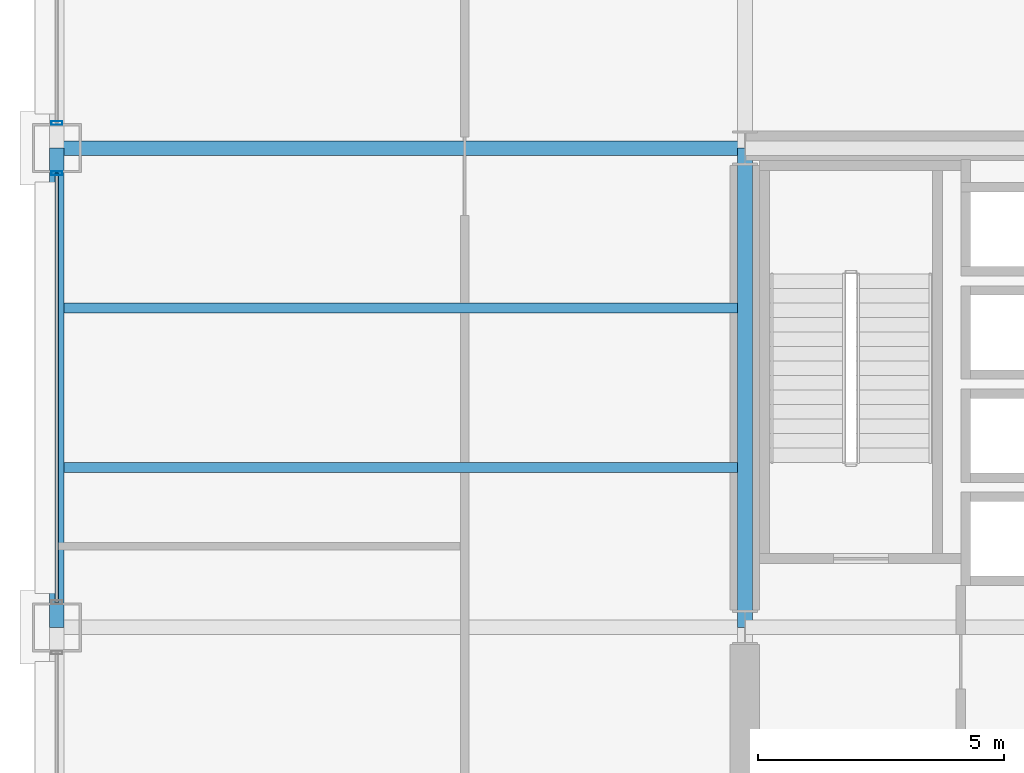
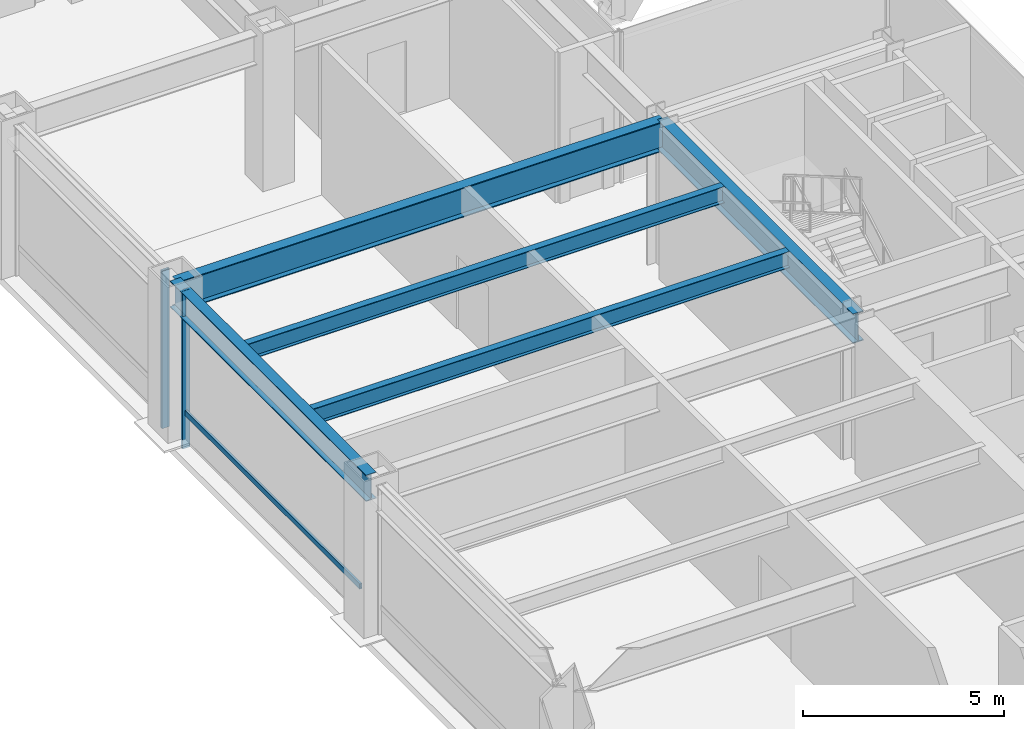
# One storey, part 14 of 40: 5 beams, 3 members, 2 elements without a shape of their own.
"""IFC4 building model written with IfcOpenShell, lengths in metres."""

from ifc_helpers import new_model, si_unit, direction, frame, origin, origin_2d, place, context, subcontext, project, spatial, hollow_rectangle, i_section, extrude, material, layer, layer_set, material_profile, profile_set, type_object, element, aggregate, save


model = new_model("IFC4")

# Units and contexts
model_context = context("Model", 3, precision=1e-05, world=origin(), true_north=direction((0.0, 1.0)))
body_context = subcontext(model_context, "Body", "Model", "MODEL_VIEW")
ifc_project = project(units=[si_unit("LENGTHUNIT", "METRE"), si_unit("AREAUNIT", "SQUARE_METRE"), si_unit("VOLUMEUNIT", "CUBIC_METRE"), si_unit("PLANEANGLEUNIT", "RADIAN"), si_unit("MASSUNIT", "GRAM", prefix="KILO")], contexts=[model_context])

# Site, building, storey
site_placement = place(None, origin())
site = spatial("IfcSite", under=ifc_project, at=site_placement, CompositionType="ELEMENT")
building_placement = place(site_placement, origin())
building = spatial("IfcBuilding", under=site, at=building_placement, Name="Brelmoor Portico Tower", CompositionType="ELEMENT")
storey_placement = place(building_placement, frame((0.0, 0.0, 4.800048828125)))
storey = spatial("IfcBuildingStorey", under=building, at=storey_placement, Name="L01", CompositionType="ELEMENT", Elevation=4.800048828125)

# Beams
ifc_material_1 = material(Name="Steel Q355B", Category="steel")
ifc_material_profile_1 = material_profile(ifc_material_1, i_section(OverallWidth=0.199951171875, OverallDepth=0.5, WebThickness=0.010009765625, FlangeThickness=0.01611328125, at=origin_2d()), Name="HN 500x200x10x16")
ifc_profile_set_1 = profile_set([ifc_material_profile_1], Name="Steel Q355B")
beam_type_1 = type_object("IfcBeamType", Name="BM-JS-500", PredefinedType="JOIST", material=ifc_profile_set_1)
for number, where, z_axis, x_axis, name in (
    (1, (-28.39990234375, 3.25, 4.329833984375), (1.0, 0.0, 0.0), (0.0, 1.0, 0.0), "L01 Secondary Wing Joist JS-W03"),
    (2, (-28.39990234375, 6.5, 4.329833984375), (1.0, 0.0, 0.0), (0.0, 1.0, 0.0), "L01 Secondary Wing Joist JS-W04"),
):
    element("IfcBeam", number, at=place(storey_placement, frame(where, z_axis=z_axis, x_axis=x_axis)), inside=storey, type_object=beam_type_1, Name=name, PredefinedType="JOIST", context=body_context, shape_type="SweptSolid", body=[
        extrude(i_section(OverallWidth=0.199951171875, OverallDepth=0.5, WebThickness=0.010009765625, FlangeThickness=0.01611328125, at=origin_2d()), origin(), (0.0, 0.0, 1.0), 13.699951171875),
    ])
ifc_material_profile_2 = material_profile(ifc_material_1, i_section(OverallWidth=0.300048828125, OverallDepth=0.89990234375, WebThickness=0.01611328125, FlangeThickness=0.028076171875, at=origin_2d()), Name="HN 900x300x16x28")
ifc_profile_set_2 = profile_set([ifc_material_profile_2], Name="Steel Q355B")
beam_type_2 = type_object("IfcBeamType", Name="BM-PG-900", PredefinedType="BEAM", material=ifc_profile_set_2)
beam_1_placement = place(storey_placement, frame((-14.550048828125, 0.0, 4.1298828125), z_axis=(0.0, 1.0, 0.0), x_axis=(-1.0, 0.0, 0.0)))
element("IfcBeam", 3, at=beam_1_placement, inside=storey, type_object=beam_type_2, Name="L01 Primary Floor Girder PG-07", PredefinedType="BEAM", context=body_context, shape_type="SweptSolid", body=[
    extrude(i_section(OverallWidth=0.300048828125, OverallDepth=0.89990234375, WebThickness=0.01611328125, FlangeThickness=0.028076171875, at=origin_2d()), origin(), (0.0, 0.0, 1.0), 9.75),
])
beam_2_placement = place(storey_placement, frame((-28.550048828125, 9.75, 4.1298828125), z_axis=(1.0, 0.0, 0.0), x_axis=(0.0, 1.0, 0.0)))
element("IfcBeam", 4, at=beam_2_placement, inside=storey, type_object=beam_type_2, Name="L01 Primary Floor Girder PG-33", PredefinedType="BEAM", context=body_context, shape_type="SweptSolid", body=[
    extrude(i_section(OverallWidth=0.300048828125, OverallDepth=0.89990234375, WebThickness=0.01611328125, FlangeThickness=0.028076171875, at=origin_2d()), origin(), (0.0, 0.0, 1.0), 14.0),
])
ifc_material_profile_3 = material_profile(ifc_material_1, i_section(OverallWidth=0.300048828125, OverallDepth=0.800048828125, WebThickness=0.013916015625, FlangeThickness=0.02587890625, at=origin_2d()), Name="HN 800x300x14x26")
ifc_profile_set_3 = profile_set([ifc_material_profile_3], Name="Steel Q355B")
beam_type_3 = type_object("IfcBeamType", Name="BM-SP-800", PredefinedType="SPANDREL", material=ifc_profile_set_3)
beam_3_placement = place(storey_placement, frame((-28.550048828125, 0.0, 4.179931640625), z_axis=(0.0, 1.0, 0.0), x_axis=(-1.0, 0.0, 0.0)))
element("IfcBeam", 5, at=beam_3_placement, inside=storey, type_object=beam_type_3, Name="L01 Perimeter Spandrel Beam SP-12", PredefinedType="SPANDREL", context=body_context, shape_type="SweptSolid", body=[
    extrude(i_section(OverallWidth=0.300048828125, OverallDepth=0.800048828125, WebThickness=0.013916015625, FlangeThickness=0.02587890625, at=origin_2d()), origin(), (0.0, 0.0, 1.0), 9.75),
])

# Curtain wall, member
ifc_material_2 = material(Name="Anodised Aluminium Alloy 6063-T6", Category="aluminium")
ifc_layer = layer(ifc_material_2, 0.179931640625)
ifc_layer_set = layer_set([ifc_layer], Name="Anodised Aluminium Alloy 6063-T6")
curtain_wall_type = type_object("IfcCurtainWallType", Name="CW-PODIUM-ARCH", PredefinedType="NOTDEFINED", material=ifc_layer_set)
curtain_wall_1_placement = place(storey_placement, origin())
curtain_wall_1 = element("IfcCurtainWall", 6, at=curtain_wall_1_placement, inside=storey, type_object=curtain_wall_type, Name="L01 Curtain Wall CW-L01-05-4", PredefinedType="NOTDEFINED")
ifc_material_profile_4 = material_profile(ifc_material_2, hollow_rectangle(XDim=0.074951171875, YDim=0.219970703125, WallThickness=0.0048828125, at=origin_2d()), Name="ALU MULLION 75x220")
ifc_profile_set_4 = profile_set([ifc_material_profile_4], Name="Anodised Aluminium Alloy 6063-T6")
member_type_1 = type_object("IfcMemberType", Name="MB-CW-MULL-220", PredefinedType="MULLION", material=ifc_profile_set_4)
member_1_placement = place(storey_placement, frame((-28.550048828125, 9.239990234375, -0.219970703125), z_axis=(0.0, 0.0, 1.0), x_axis=(0.0, 1.0, 0.0)))
member_1 = element("IfcMember", 7, at=member_1_placement, type_object=member_type_1, Name="CW-L01-05-4 Mullion 01", PredefinedType="MULLION", context=body_context, shape_type="SweptSolid", body=[
    extrude(hollow_rectangle(XDim=0.074951171875, YDim=0.219970703125, WallThickness=0.0048828125, at=origin_2d()), origin(), (0.0, 0.0, 1.0), 4.7998046875),
])

curtain_wall_2_placement = place(storey_placement, origin())
curtain_wall_2 = element("IfcCurtainWall", 8, at=curtain_wall_2_placement, inside=storey, type_object=curtain_wall_type, Name="L01 Curtain Wall CW-L01-05-5", PredefinedType="NOTDEFINED")
member_2_placement = place(storey_placement, frame((-28.550048828125, 10.260009765625, -0.219970703125), z_axis=(0.0, 0.0, 1.0), x_axis=(0.0, 1.0, 0.0)))
member_2 = element("IfcMember", 9, at=member_2_placement, type_object=member_type_1, Name="CW-L01-05-5 Mullion 00", PredefinedType="MULLION", context=body_context, shape_type="SweptSolid", body=[
    extrude(hollow_rectangle(XDim=0.074951171875, YDim=0.219970703125, WallThickness=0.0048828125, at=origin_2d()), origin(), (0.0, 0.0, 1.0), 4.7998046875),
])
aggregate(curtain_wall_2, [member_2])

# Member
ifc_material_profile_5 = material_profile(ifc_material_2, hollow_rectangle(XDim=0.070068359375, YDim=0.159912109375, WallThickness=0.00390625, at=origin_2d()), Name="ALU TRANSOM 70x160")
ifc_profile_set_5 = profile_set([ifc_material_profile_5], Name="Anodised Aluminium Alloy 6063-T6")
member_type_2 = type_object("IfcMemberType", Name="MB-CW-TRAN-160", PredefinedType="USERDEFINED", material=ifc_profile_set_5)
member_3_placement = place(storey_placement, frame((-28.550048828125, 0.510009765625, 0.849853515625), z_axis=(0.0, 1.0, 0.0), x_axis=(-1.0, 0.0, 0.0)))
member_3 = element("IfcMember", 10, at=member_3_placement, type_object=member_type_2, Name="CW-L01-05-4 Transom 1-00", ObjectType="TRANSOM", PredefinedType="USERDEFINED", context=body_context, shape_type="SweptSolid", body=[
    extrude(hollow_rectangle(XDim=0.070068359375, YDim=0.159912109375, WallThickness=0.00390625, at=origin_2d()), origin(), (0.0, 0.0, 1.0), 8.72998046875),
])

aggregate(curtain_wall_1, [member_1, member_3])

save(model, "model.ifc")
